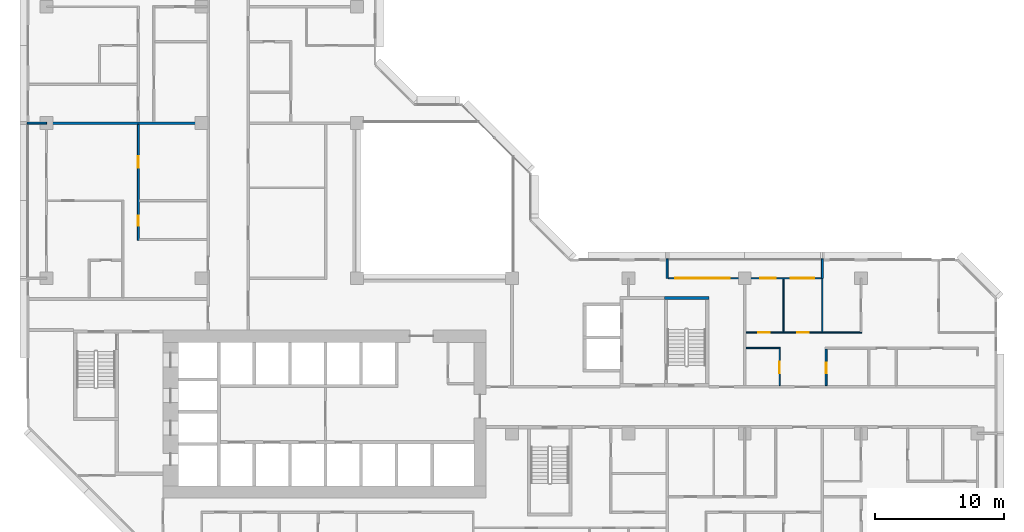
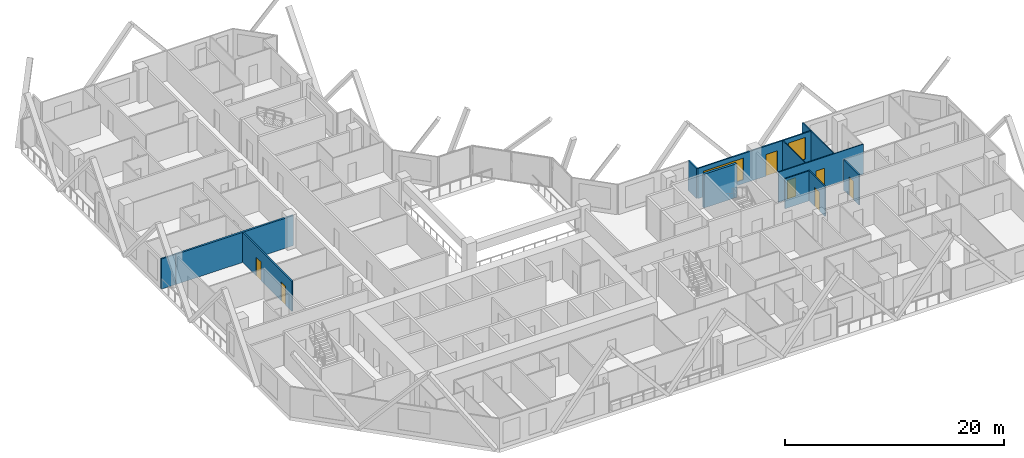
# One storey, part 8 of 15: 13 walls, 7 doors, 2 windows, 9 openings.
"""IFC4 building model written with IfcOpenShell, lengths in metres."""

from ifc_helpers import new_model, si_unit, direction, frame, frame_2d, origin, place, context, subcontext, project, spatial, rectangle, extrude, material, layer, layer_set, type_object, element, fill, save


model = new_model("IFC4")

# Units and contexts
model_context = context("Model", 3, precision=1e-05, world=origin(), true_north=direction((0.0, 1.0)))
body_context = subcontext(model_context, "Body", "Model", "MODEL_VIEW")
ifc_project = project(units=[si_unit("LENGTHUNIT", "METRE"), si_unit("AREAUNIT", "SQUARE_METRE"), si_unit("VOLUMEUNIT", "CUBIC_METRE"), si_unit("PLANEANGLEUNIT", "RADIAN"), si_unit("MASSUNIT", "GRAM", prefix="KILO")], contexts=[model_context])

# Site, building, storey
site_placement = place(None, origin())
site = spatial("IfcSite", under=ifc_project, at=site_placement, CompositionType="ELEMENT")
building_placement = place(site_placement, origin())
building = spatial("IfcBuilding", under=site, at=building_placement, Name="Chenar Terraces", CompositionType="ELEMENT")
storey_placement = place(building_placement, frame((0.0, 0.0, 106.89990234375)))
storey = spatial("IfcBuildingStorey", under=building, at=storey_placement, Name="L24", CompositionType="ELEMENT", Elevation=106.89990234375)

# Wall
ifc_material_1 = material(Name="Concrete C70/85", Category="concrete")
ifc_layer_1 = layer(ifc_material_1, 0.25)
ifc_layer_set_1 = layer_set([ifc_layer_1], Name="Concrete C70/85")
wall_type_1 = type_object("IfcWallType", Name="Core wall 250 Concrete C70/85", PredefinedType="SHEAR", material=ifc_layer_set_1)
wall_1_placement = place(storey_placement, frame((47.77490234375, 22.47509765625, 0.0), z_axis=(0.0, 0.0, 1.0), x_axis=(1.0, 0.0, 0.0)))
element("IfcWall", 1, at=wall_1_placement, inside=storey, type_object=wall_type_1, Name="Core wall ST3_N L24", PredefinedType="SHEAR", context=body_context, shape_type="SweptSolid", body=[
    extrude(rectangle(XDim=3.4501953125, YDim=0.25, at=frame_2d((1.72509765625, 0.0))), origin(), (0.0, 0.0, 1.0), 3.75),
])

# Wall, openings, windows, door
ifc_material_2 = material(Name="Aluminium framed glazing", Category="aluminium")
ifc_layer_2 = layer(ifc_material_2, 0.14990234375)
ifc_layer_set_2 = layer_set([ifc_layer_2], Name="Aluminium framed glazing")
wall_type_2 = type_object("IfcWallType", Name="Glazed loggia back wall 150", PredefinedType="SOLIDWALL", material=ifc_layer_set_2)
wall_2_placement = place(storey_placement, frame((59.925048828125, 24.0, 0.0), z_axis=(0.0, 0.0, 1.0), x_axis=(-1.0, 0.0, 0.0)))
wall_2 = element("IfcWall", 2, at=wall_2_placement, inside=storey, type_object=wall_type_2, Name="Glazed loggia back wall", PredefinedType="SOLIDWALL", context=body_context, shape_type="SweptSolid", body=[
    extrude(rectangle(XDim=11.85009765625, YDim=0.14990234375, at=frame_2d((5.925048828125, 0.0))), origin(), (0.0, 0.0, 1.0), 3.35009765625),
])
opening_1_placement = place(wall_2_placement, frame((0.5625, 0.0, 0.449951171875)))
opening_1 = element("IfcOpeningElement", 3, at=opening_1_placement, cuts=wall_2, Name="Opening W180x240", PredefinedType="OPENING", context=body_context, shape_type="SweptSolid", body=[
    extrude(rectangle(XDim=1.800048828125, YDim=2.39990234375, at=frame_2d((0.89990234375, 1.199951171875))), frame((0.0, 0.0849609375, 0.0), z_axis=(0.0, -1.0, 0.0), x_axis=(1.0, 0.0, 0.0)), (0.0, 0.0, 1.0), 0.169921875),
])
opening_2_placement = place(wall_2_placement, frame((3.52490234375, 0.0, 0.0)))
opening_2 = element("IfcOpeningElement", 4, at=opening_2_placement, cuts=wall_2, Name="Opening DL24-G1", PredefinedType="OPENING", context=body_context, shape_type="SweptSolid", body=[
    extrude(rectangle(XDim=1.199951171875, YDim=2.39990234375, at=frame_2d((0.60009765625, 1.199951171875))), frame((0.0, 0.0849609375, 0.0), z_axis=(0.0, -1.0, 0.0), x_axis=(1.0, 0.0, 0.0)), (0.0, 0.0, 1.0), 0.169921875),
])
opening_3_placement = place(wall_2_placement, frame((7.08740234375, 0.0, 0.449951171875)))
opening_3 = element("IfcOpeningElement", 5, at=opening_3_placement, cuts=wall_2, Name="Opening W420x240", PredefinedType="OPENING", context=body_context, shape_type="SweptSolid", body=[
    extrude(rectangle(XDim=4.199951171875, YDim=2.39990234375, at=frame_2d((2.10009765625, 1.199951171875))), frame((0.0, 0.0849609375, 0.0), z_axis=(0.0, -1.0, 0.0), x_axis=(1.0, 0.0, 0.0)), (0.0, 0.0, 1.0), 0.169921875),
])
ifc_material_3 = material(Name="Low emissivity double glazing, aluminium frame", Category="aluminium")
window_type_1 = type_object("IfcWindowType", Name="Fixed light 1800 x 2400", PartitioningType="SINGLE_PANEL", PredefinedType="WINDOW", material=ifc_material_3)
window_1_placement = place(opening_1_placement, origin())
window_1 = element("IfcWindow", 6, at=window_1_placement, inside=storey, type_object=window_type_1, Name="Window", OverallHeight=2.39990234375, OverallWidth=1.800048828125, PartitioningType="SINGLE_PANEL", PredefinedType="WINDOW", context=body_context, shape_type="SweptSolid", body=[
    extrude(rectangle(XDim=1.800048828125, YDim=2.39990234375, at=frame_2d((0.89990234375, 1.199951171875))), frame((0.0, 0.030029296875, 0.0), z_axis=(0.0, -1.0, 0.0), x_axis=(1.0, 0.0, 0.0)), (0.0, 0.0, 1.0), 0.06005859375),
])
fill(opening_1, window_1)
ifc_material_4 = material(Name="Low emissivity double glazing, aluminium frame", Category="aluminium")
window_type_2 = type_object("IfcWindowType", Name="Fixed light 4200 x 2400", PartitioningType="SINGLE_PANEL", PredefinedType="WINDOW", material=ifc_material_4)
window_2_placement = place(opening_3_placement, origin())
window_2 = element("IfcWindow", 7, at=window_2_placement, inside=storey, type_object=window_type_2, Name="Window", OverallHeight=2.39990234375, OverallWidth=4.199951171875, PartitioningType="SINGLE_PANEL", PredefinedType="WINDOW", context=body_context, shape_type="SweptSolid", body=[
    extrude(rectangle(XDim=4.199951171875, YDim=2.39990234375, at=frame_2d((2.10009765625, 1.199951171875))), frame((0.0, 0.030029296875, 0.0), z_axis=(0.0, -1.0, 0.0), x_axis=(1.0, 0.0, 0.0)), (0.0, 0.0, 1.0), 0.06005859375),
])
fill(opening_3, window_2)
ifc_material_5 = material(Name="Low emissivity double glazing, aluminium frame", Category="aluminium")
door_type_1 = type_object("IfcDoorType", Name="Loggia glazed double door 1200 x 2400", OperationType="DOUBLE_DOOR_SINGLE_SWING", PredefinedType="DOOR", material=ifc_material_5)
door_1_placement = place(opening_2_placement, frame((1.199951171875, 0.0, 0.0), z_axis=(0.0, 0.0, 1.0), x_axis=(-1.0, 0.0, 0.0)))
door_1 = element("IfcDoor", 8, at=door_1_placement, inside=storey, type_object=door_type_1, Name="Loggia glazed door", OperationType="DOUBLE_DOOR_SINGLE_SWING", OverallHeight=2.39990234375, OverallWidth=1.199951171875, PredefinedType="DOOR", context=body_context, shape_type="SweptSolid", body=[
    extrude(rectangle(XDim=1.199951171875, YDim=2.39990234375, at=frame_2d((0.60009765625, 1.199951171875))), frame((0.0, 0.02490234375, 0.0), z_axis=(0.0, -1.0, 0.0), x_axis=(1.0, 0.0, 0.0)), (0.0, 0.0, 1.0), 0.050048828125),
])
fill(opening_2, door_1)

# Wall
ifc_material_6 = material(Name="Gypsum board on steel studs", Category="steel")
ifc_layer_3 = layer(ifc_material_6, 0.10009765625)
ifc_layer_set_3 = layer_set([ifc_layer_3], Name="Gypsum board on steel studs")
wall_type_3 = type_object("IfcWallType", Name="Gypsum partition 100", PredefinedType="PARTITIONING", material=ifc_layer_set_3)
wall_3_placement = place(storey_placement, frame((54.10009765625, 18.60009765625, 0.0), z_axis=(0.0, 0.0, 1.0), x_axis=(1.0, 0.0, 0.0)))
element("IfcWall", 9, at=wall_3_placement, inside=storey, type_object=wall_type_3, Name="Partition L24-081", PredefinedType="PARTITIONING", context=body_context, shape_type="SweptSolid", body=[
    extrude(rectangle(XDim=2.5498046875, YDim=0.10009765625, at=frame_2d((1.27490234375, 0.0))), origin(), (0.0, 0.0, 1.0), 3.35009765625),
])

# Wall, openings, doors
wall_4_placement = place(storey_placement, frame((54.10009765625, 19.800048828125, 0.0), z_axis=(0.0, 0.0, 1.0), x_axis=(1.0, 0.0, 0.0)))
wall_4 = element("IfcWall", 10, at=wall_4_placement, inside=storey, type_object=wall_type_3, Name="Partition L24-082", PredefinedType="PARTITIONING", context=body_context, shape_type="SweptSolid", body=[
    extrude(rectangle(XDim=8.949951171875, YDim=0.10009765625, at=frame_2d((4.47509765625, 0.0))), origin(), (0.0, 0.0, 1.0), 3.35009765625),
])
opening_4_placement = place(wall_4_placement, frame((0.949951171875, 0.0, 0.0)))
opening_4 = element("IfcOpeningElement", 11, at=opening_4_placement, cuts=wall_4, Name="Opening DL24-5", PredefinedType="OPENING", context=body_context, shape_type="SweptSolid", body=[
    extrude(rectangle(XDim=0.89990234375, YDim=2.10009765625, at=frame_2d((0.449951171875, 1.050048828125))), frame((0.0, 0.06005859375, 0.0), z_axis=(0.0, -1.0, 0.0), x_axis=(1.0, 0.0, 0.0)), (0.0, 0.0, 1.0), 0.1201171875),
])
opening_5_placement = place(wall_4_placement, frame((3.949951171875, 0.0, 0.0)))
opening_5 = element("IfcOpeningElement", 12, at=opening_5_placement, cuts=wall_4, Name="Opening DL24-6", PredefinedType="OPENING", context=body_context, shape_type="SweptSolid", body=[
    extrude(rectangle(XDim=0.89990234375, YDim=2.10009765625, at=frame_2d((0.449951171875, 1.050048828125))), frame((0.0, 0.06005859375, 0.0), z_axis=(0.0, -1.0, 0.0), x_axis=(1.0, 0.0, 0.0)), (0.0, 0.0, 1.0), 0.1201171875),
])
ifc_material_7 = material(Name="Veneered timber door leaf", Category="wood")
door_type_2 = type_object("IfcDoorType", Name="Door 900 x 2100", OperationType="SINGLE_SWING_LEFT", PredefinedType="DOOR", material=ifc_material_7)
door_2_placement = place(opening_4_placement, origin())
door_2 = element("IfcDoor", 13, at=door_2_placement, inside=storey, type_object=door_type_2, Name="Door DL24-5", OperationType="SINGLE_SWING_RIGHT", OverallHeight=2.10009765625, OverallWidth=0.89990234375, PredefinedType="DOOR", context=body_context, shape_type="SweptSolid", body=[
    extrude(rectangle(XDim=0.89990234375, YDim=2.10009765625, at=frame_2d((0.449951171875, 1.050048828125))), frame((0.0, 0.02490234375, 0.0), z_axis=(0.0, -1.0, 0.0), x_axis=(1.0, 0.0, 0.0)), (0.0, 0.0, 1.0), 0.050048828125),
])
fill(opening_4, door_2)
door_3_placement = place(opening_5_placement, origin())
door_3 = element("IfcDoor", 14, at=door_3_placement, inside=storey, type_object=door_type_2, Name="Door DL24-6", OperationType="SINGLE_SWING_RIGHT", OverallHeight=2.10009765625, OverallWidth=0.89990234375, PredefinedType="DOOR", context=body_context, shape_type="SweptSolid", body=[
    extrude(rectangle(XDim=0.89990234375, YDim=2.10009765625, at=frame_2d((0.449951171875, 1.050048828125))), frame((0.0, 0.02490234375, 0.0), z_axis=(0.0, -1.0, 0.0), x_axis=(1.0, 0.0, 0.0)), (0.0, 0.0, 1.0), 0.050048828125),
])
fill(opening_5, door_3)

# Wall, opening, door
wall_5_placement = place(storey_placement, frame((56.699951171875, 15.699951171875, 0.0), z_axis=(0.0, 0.0, 1.0), x_axis=(0.0, 1.0, 0.0)))
wall_5 = element("IfcWall", 15, at=wall_5_placement, inside=storey, type_object=wall_type_3, Name="Partition L24-084", PredefinedType="PARTITIONING", context=body_context, shape_type="SweptSolid", body=[
    extrude(rectangle(XDim=2.949951171875, YDim=0.10009765625, at=frame_2d((1.47509765625, 0.0))), origin(), (0.0, 0.0, 1.0), 3.35009765625),
])
opening_6_placement = place(wall_5_placement, frame((0.949951171875, 0.0, 0.0)))
opening_6 = element("IfcOpeningElement", 16, at=opening_6_placement, cuts=wall_5, Name="Opening DL24-11", PredefinedType="OPENING", context=body_context, shape_type="SweptSolid", body=[
    extrude(rectangle(XDim=0.89990234375, YDim=2.10009765625, at=frame_2d((0.449951171875, 1.050048828125))), frame((0.0, 0.06005859375, 0.0), z_axis=(0.0, -1.0, 0.0), x_axis=(1.0, 0.0, 0.0)), (0.0, 0.0, 1.0), 0.1201171875),
])
door_4_placement = place(opening_6_placement, origin())
door_4 = element("IfcDoor", 17, at=door_4_placement, inside=storey, type_object=door_type_2, Name="Door DL24-11", OperationType="SINGLE_SWING_LEFT", OverallHeight=2.10009765625, OverallWidth=0.89990234375, PredefinedType="DOOR", context=body_context, shape_type="SweptSolid", body=[
    extrude(rectangle(XDim=0.89990234375, YDim=2.10009765625, at=frame_2d((0.449951171875, 1.050048828125))), frame((0.0, 0.02490234375, 0.0), z_axis=(0.0, -1.0, 0.0), x_axis=(1.0, 0.0, 0.0)), (0.0, 0.0, 1.0), 0.050048828125),
])
fill(opening_6, door_4)

# Walls
wall_6_placement = place(storey_placement, frame((57.0, 19.85009765625, 0.0), z_axis=(0.0, 0.0, 1.0), x_axis=(0.0, 1.0, 0.0)))
element("IfcWall", 18, at=wall_6_placement, inside=storey, type_object=wall_type_3, Name="Partition L24-086", PredefinedType="PARTITIONING", context=body_context, shape_type="SweptSolid", body=[
    extrude(rectangle(XDim=4.075927734375, YDim=0.10009765625, at=frame_2d((2.0380859375, 0.0))), origin(), (0.0, 0.0, 1.0), 3.35009765625),
])
wall_7_placement = place(storey_placement, frame((60.0, 19.85009765625, 0.0), z_axis=(0.0, 0.0, 1.0), x_axis=(0.0, 1.0, 0.0)))
element("IfcWall", 19, at=wall_7_placement, inside=storey, type_object=wall_type_3, Name="Partition L24-088", PredefinedType="PARTITIONING", context=body_context, shape_type="SweptSolid", body=[
    extrude(rectangle(XDim=4.14990234375, YDim=0.10009765625, at=frame_2d((2.074951171875, 0.0))), origin(), (0.0, 0.0, 1.0), 3.35009765625),
])
ifc_material_8 = material(Name="Terracotta cladding on insulated backing", Category="masonry")
ifc_layer_4 = layer(ifc_material_8, 0.14990234375)
ifc_layer_set_4 = layer_set([ifc_layer_4], Name="Terracotta cladding on insulated backing")
wall_type_4 = type_object("IfcWallType", Name="Loggia return wall 150", PredefinedType="SOLIDWALL", material=ifc_layer_set_4)
for number, where, z_axis, x_axis, name in (
    (20, (60.0, 25.5, 0.0), (0.0, 0.0, 1.0), (0.0, -1.0, 0.0), "Loggia return wall"),
    (21, (48.0, 25.5, 0.0), (0.0, 0.0, 1.0), (0.0, -1.0, 0.0), "Loggia return wall"),
    (22, (-1.5, 36.0, 0.0), (0.0, 0.0, 1.0), (1.0, 0.0, 0.0), "Loggia return wall"),
):
    element("IfcWall", number, at=place(storey_placement, frame(where, z_axis=z_axis, x_axis=x_axis)), inside=storey, type_object=wall_type_4, Name=name, PredefinedType="SOLIDWALL", context=body_context, shape_type="SweptSolid", body=[
        extrude(rectangle(XDim=1.5, YDim=0.14990234375, at=frame_2d((0.75, 0.0))), origin(), (0.0, 0.0, 1.0), 3.35009765625),
    ])
ifc_material_9 = material(Name="Twin gypsum board on steel studs with mineral wool", Category="steel")
ifc_layer_5 = layer(ifc_material_9, 0.199951171875)
ifc_layer_set_5 = layer_set([ifc_layer_5], Name="Twin gypsum board on steel studs with mineral wool")
wall_type_5 = type_object("IfcWallType", Name="Unit demising wall 200", PredefinedType="PARTITIONING", material=ifc_layer_set_5)
wall_8_placement = place(storey_placement, frame((0.0, 36.0, 0.0), z_axis=(0.0, 0.0, 1.0), x_axis=(1.0, 0.0, 0.0)))
element("IfcWall", 23, at=wall_8_placement, inside=storey, type_object=wall_type_5, Name="Partition L24-004", PredefinedType="PARTITIONING", context=body_context, shape_type="SweptSolid", body=[
    extrude(rectangle(XDim=12.39990234375, YDim=0.199951171875, at=frame_2d((6.199951171875, 0.0))), origin(), (0.0, 0.0, 1.0), 3.35009765625),
])

# Wall, openings, doors
ifc_material_10 = material(Name="Moisture-resistant gypsum board on steel studs", Category="steel")
ifc_layer_6 = layer(ifc_material_10, 0.14990234375)
ifc_layer_set_6 = layer_set([ifc_layer_6], Name="Moisture-resistant gypsum board on steel studs")
wall_type_6 = type_object("IfcWallType", Name="Wet-room partition 150", PredefinedType="PARTITIONING", material=ifc_layer_set_6)
wall_9_placement = place(storey_placement, frame((7.10009765625, 26.925048828125, 0.0), z_axis=(0.0, 0.0, 1.0), x_axis=(0.0, 1.0, 0.0)))
wall_9 = element("IfcWall", 24, at=wall_9_placement, inside=storey, type_object=wall_type_6, Name="Partition L24-020", PredefinedType="PARTITIONING", context=body_context, shape_type="SweptSolid", body=[
    extrude(rectangle(XDim=8.974853515625, YDim=0.14990234375, at=frame_2d((4.4873046875, 0.0))), origin(), (0.0, 0.0, 1.0), 3.35009765625),
])
opening_7_placement = place(wall_9_placement, frame((1.125, 0.0, 0.0)))
opening_7 = element("IfcOpeningElement", 25, at=opening_7_placement, cuts=wall_9, Name="Opening DL24-64", PredefinedType="OPENING", context=body_context, shape_type="SweptSolid", body=[
    extrude(rectangle(XDim=0.800048828125, YDim=2.10009765625, at=frame_2d((0.39990234375, 1.050048828125))), frame((0.0, 0.0849609375, 0.0), z_axis=(0.0, -1.0, 0.0), x_axis=(1.0, 0.0, 0.0)), (0.0, 0.0, 1.0), 0.169921875),
])
opening_8_placement = place(wall_9_placement, frame((5.625, 0.0, 0.0)))
opening_8 = element("IfcOpeningElement", 26, at=opening_8_placement, cuts=wall_9, Name="Opening DL24-67", PredefinedType="OPENING", context=body_context, shape_type="SweptSolid", body=[
    extrude(rectangle(XDim=0.89990234375, YDim=2.10009765625, at=frame_2d((0.449951171875, 1.050048828125))), frame((0.0, 0.0849609375, 0.0), z_axis=(0.0, -1.0, 0.0), x_axis=(1.0, 0.0, 0.0)), (0.0, 0.0, 1.0), 0.169921875),
])
ifc_material_11 = material(Name="Veneered timber door leaf", Category="wood")
door_type_3 = type_object("IfcDoorType", Name="Door 800 x 2100", OperationType="SINGLE_SWING_LEFT", PredefinedType="DOOR", material=ifc_material_11)
door_5_placement = place(opening_7_placement, frame((0.800048828125, 0.0, 0.0), z_axis=(0.0, 0.0, 1.0), x_axis=(-1.0, 0.0, 0.0)))
door_5 = element("IfcDoor", 27, at=door_5_placement, inside=storey, type_object=door_type_3, Name="Door DL24-64", OperationType="SINGLE_SWING_RIGHT", OverallHeight=2.10009765625, OverallWidth=0.800048828125, PredefinedType="DOOR", context=body_context, shape_type="SweptSolid", body=[
    extrude(rectangle(XDim=0.800048828125, YDim=2.10009765625, at=frame_2d((0.39990234375, 1.050048828125))), frame((0.0, 0.02490234375, 0.0), z_axis=(0.0, -1.0, 0.0), x_axis=(1.0, 0.0, 0.0)), (0.0, 0.0, 1.0), 0.050048828125),
])
fill(opening_7, door_5)
door_6_placement = place(opening_8_placement, frame((0.89990234375, 0.0, 0.0), z_axis=(0.0, 0.0, 1.0), x_axis=(-1.0, 0.0, 0.0)))
door_6 = element("IfcDoor", 28, at=door_6_placement, inside=storey, type_object=door_type_2, Name="Door DL24-67", OperationType="SINGLE_SWING_LEFT", OverallHeight=2.10009765625, OverallWidth=0.89990234375, PredefinedType="DOOR", context=body_context, shape_type="SweptSolid", body=[
    extrude(rectangle(XDim=0.89990234375, YDim=2.10009765625, at=frame_2d((0.449951171875, 1.050048828125))), frame((0.0, 0.02490234375, 0.0), z_axis=(0.0, -1.0, 0.0), x_axis=(1.0, 0.0, 0.0)), (0.0, 0.0, 1.0), 0.050048828125),
])
fill(opening_8, door_6)

# Wall, opening, door
wall_10_placement = place(storey_placement, frame((60.300048828125, 15.699951171875, 0.0), z_axis=(0.0, 0.0, 1.0), x_axis=(0.0, 1.0, 0.0)))
wall_10 = element("IfcWall", 29, at=wall_10_placement, inside=storey, type_object=wall_type_6, Name="Partition L24-093", PredefinedType="PARTITIONING", context=body_context, shape_type="SweptSolid", body=[
    extrude(rectangle(XDim=2.824951171875, YDim=0.14990234375, at=frame_2d((1.41259765625, 0.0))), origin(), (0.0, 0.0, 1.0), 3.35009765625),
])
opening_9_placement = place(wall_10_placement, frame((0.949951171875, 0.0, 0.0)))
opening_9 = element("IfcOpeningElement", 30, at=opening_9_placement, cuts=wall_10, Name="Opening DL24-4", PredefinedType="OPENING", context=body_context, shape_type="SweptSolid", body=[
    extrude(rectangle(XDim=0.800048828125, YDim=2.10009765625, at=frame_2d((0.39990234375, 1.050048828125))), frame((0.0, 0.0849609375, 0.0), z_axis=(0.0, -1.0, 0.0), x_axis=(1.0, 0.0, 0.0)), (0.0, 0.0, 1.0), 0.169921875),
])
door_7_placement = place(opening_9_placement, frame((0.800048828125, 0.0, 0.0), z_axis=(0.0, 0.0, 1.0), x_axis=(-1.0, 0.0, 0.0)))
door_7 = element("IfcDoor", 31, at=door_7_placement, inside=storey, type_object=door_type_3, Name="Door DL24-4", OperationType="SINGLE_SWING_RIGHT", OverallHeight=2.10009765625, OverallWidth=0.800048828125, PredefinedType="DOOR", context=body_context, shape_type="SweptSolid", body=[
    extrude(rectangle(XDim=0.800048828125, YDim=2.10009765625, at=frame_2d((0.39990234375, 1.050048828125))), frame((0.0, 0.02490234375, 0.0), z_axis=(0.0, -1.0, 0.0), x_axis=(1.0, 0.0, 0.0)), (0.0, 0.0, 1.0), 0.050048828125),
])
fill(opening_9, door_7)

save(model, "model.ifc")
